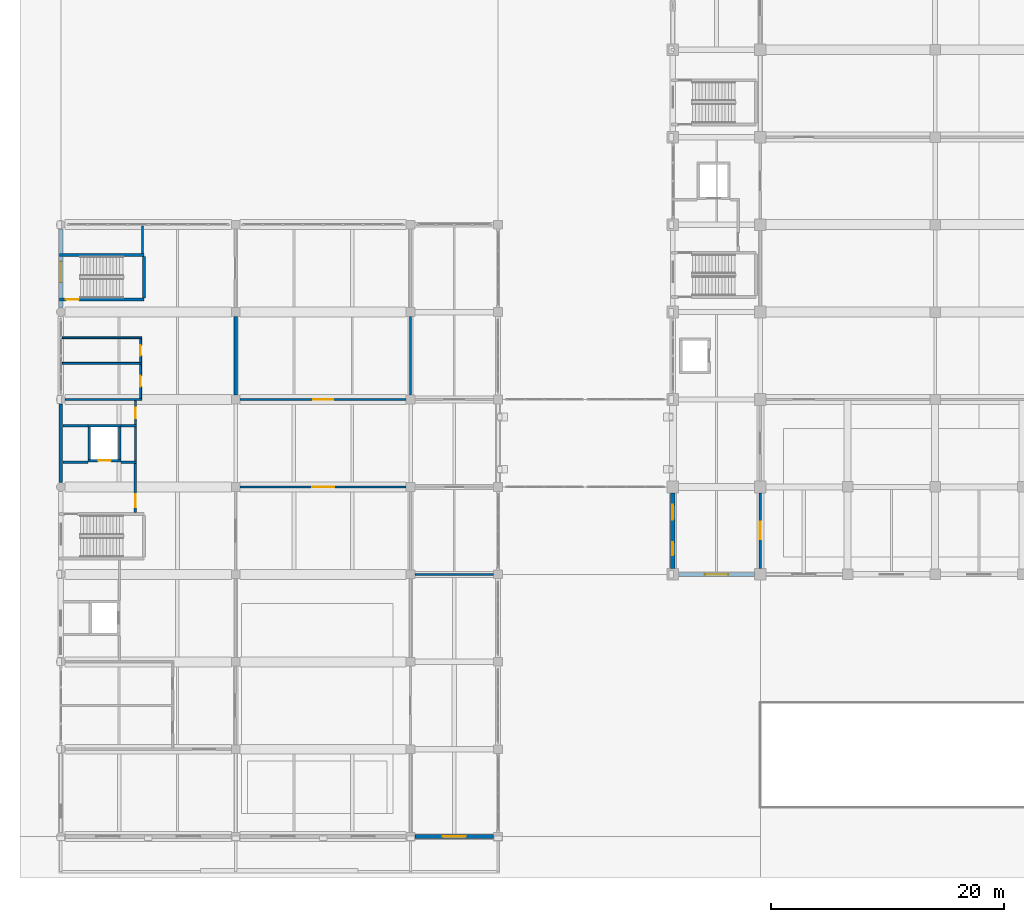
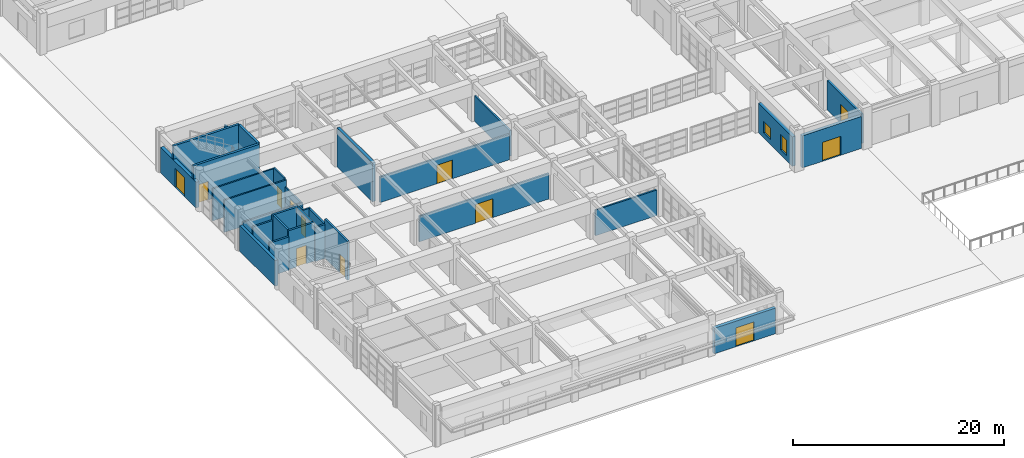
# One storey, part 86 of 122: 31 walls, 12 doors, 2 windows, 14 openings.
"""IFC4 building model written with IfcOpenShell, lengths in metres."""

from ifc_helpers import new_model, si_unit, direction, frame, frame_2d, origin, place, context, subcontext, project, spatial, rectangle, extrude, material, layer, layer_set, type_object, element, fill, save


model = new_model("IFC4")

# Units and contexts
model_context = context("Model", 3, precision=1e-05, world=origin(), true_north=direction((0.0, 1.0)))
body_context = subcontext(model_context, "Body", "Model", "MODEL_VIEW")
ifc_project = project(units=[si_unit("LENGTHUNIT", "METRE"), si_unit("AREAUNIT", "SQUARE_METRE"), si_unit("VOLUMEUNIT", "CUBIC_METRE"), si_unit("PLANEANGLEUNIT", "RADIAN"), si_unit("MASSUNIT", "GRAM", prefix="KILO")], contexts=[model_context])

# Site, building, storey
site_placement = place(None, origin())
site = spatial("IfcSite", under=ifc_project, at=site_placement, CompositionType="ELEMENT")
building_placement = place(site_placement, origin())
building = spatial("IfcBuilding", under=site, at=building_placement, Name="Qasida Concert Hall", CompositionType="ELEMENT")
storey_placement = place(building_placement, origin())
storey = spatial("IfcBuildingStorey", under=building, at=storey_placement, Name="L00", CompositionType="ELEMENT", Elevation=0.0)

# Wall, opening, door
ifc_material_1 = material(Name="Concrete C40/50", Category="concrete")
ifc_layer_1 = layer(ifc_material_1, 0.219970703125, Name="Concrete C40/50")
ifc_layer_set_1 = layer_set([ifc_layer_1], Name="Concrete C40/50")
wall_type_1 = type_object("IfcWallType", Name="WL-CW-220", PredefinedType="SOLIDWALL", material=ifc_layer_set_1)
wall_1_placement = place(storey_placement, frame((2.340087890625, 32.25, 0.0), z_axis=(0.0, 0.0, 1.0), x_axis=(1.0, 0.0, 0.0)))
wall_1 = element("IfcWall", 1, at=wall_1_placement, inside=storey, type_object=wall_type_1, Name="L00 LF-06 lift shaft wall S", PredefinedType="SOLIDWALL", context=body_context, shape_type="SweptSolid", body=[
    extrude(rectangle(XDim=2.81982421875, YDim=0.219970703125, at=frame_2d((1.409912109375, 0.0))), origin(), (0.0, 0.0, 1.0), 4.5),
])
opening_1_placement = place(wall_1_placement, frame((0.860107421875, 0.0, 0.0)))
opening_1 = element("IfcOpeningElement", 2, at=opening_1_placement, cuts=wall_1, Name="Opening LD-110", PredefinedType="OPENING", context=body_context, shape_type="SweptSolid", body=[
    extrude(rectangle(XDim=1.10009765625, YDim=2.14990234375, at=frame_2d((0.550048828125, 1.074951171875))), frame((0.0, 0.119873046875, 0.0), z_axis=(0.0, -1.0, 0.0), x_axis=(1.0, 0.0, 0.0)), (0.0, 0.0, 1.0), 0.239990234375),
])
ifc_material_2 = material(Name="Firefighting lift sliding landing door", Category="steel")
door_type_1 = type_object("IfcDoorType", Name="LD-110", OperationType="SLIDING_TO_LEFT", PredefinedType="DOOR", material=ifc_material_2)
door_1_placement = place(opening_1_placement, origin())
door_1 = element("IfcDoor", 3, at=door_1_placement, inside=storey, type_object=door_type_1, Name="Lift landing door LF-06 L00", OperationType="SLIDING_TO_LEFT", OverallHeight=2.14990234375, OverallWidth=1.10009765625, PredefinedType="DOOR", context=body_context, shape_type="SweptSolid", body=[
    extrude(rectangle(XDim=1.10009765625, YDim=2.14990234375, at=frame_2d((0.550048828125, 1.074951171875))), frame((0.0, 0.02490234375, 0.0), z_axis=(0.0, -1.0, 0.0), x_axis=(1.0, 0.0, 0.0)), (0.0, 0.0, 1.0), 0.050048828125),
])
fill(opening_1, door_1)

# Walls
wall_2_placement = place(storey_placement, frame((2.340087890625, 35.25, 0.0), z_axis=(0.0, 0.0, 1.0), x_axis=(1.0, 0.0, 0.0)))
element("IfcWall", 4, at=wall_2_placement, inside=storey, type_object=wall_type_1, Name="L00 LF-06 lift shaft wall N", PredefinedType="SOLIDWALL", context=body_context, shape_type="SweptSolid", body=[
    extrude(rectangle(XDim=2.81982421875, YDim=0.219970703125, at=frame_2d((1.409912109375, 0.0))), origin(), (0.0, 0.0, 1.0), 4.5),
])
for number, where, z_axis, x_axis, name in (
    (5, (2.449951171875, 32.360107421875, 0.0), (0.0, 0.0, 1.0), (0.0, 1.0, 0.0), "L00 LF-06 lift shaft wall W"),
    (6, (5.050048828125, 32.360107421875, 0.0), (0.0, 0.0, 1.0), (0.0, 1.0, 0.0), "L00 LF-06 lift shaft wall E"),
):
    element("IfcWall", number, at=place(storey_placement, frame(where, z_axis=z_axis, x_axis=x_axis)), inside=storey, type_object=wall_type_1, Name=name, PredefinedType="SOLIDWALL", context=body_context, shape_type="SweptSolid", body=[
        extrude(rectangle(XDim=2.77978515625, YDim=0.219970703125, at=frame_2d((1.389892578125, 0.0))), origin(), (0.0, 0.0, 1.0), 4.5),
    ])

# Wall, opening, door
wall_3_placement = place(storey_placement, frame((6.39990234375, 27.820068359375, 0.0), z_axis=(0.0, 0.0, 1.0), x_axis=(0.0, 1.0, 0.0)))
wall_3 = element("IfcWall", 7, at=wall_3_placement, inside=storey, type_object=wall_type_1, Name="L00 LF-06 firefighting lobby wall", PredefinedType="SOLIDWALL", context=body_context, shape_type="SweptSolid", body=[
    extrude(rectangle(XDim=4.309814453125, YDim=0.219970703125, at=frame_2d((2.15478515625, 0.0))), origin(), (0.0, 0.0, 1.0), 4.5),
])
opening_2_placement = place(wall_3_placement, frame((0.449951171875, 0.0, 0.0)))
opening_2 = element("IfcOpeningElement", 8, at=opening_2_placement, cuts=wall_3, Name="Opening FD-110", PredefinedType="OPENING", context=body_context, shape_type="SweptSolid", body=[
    extrude(rectangle(XDim=1.10009765625, YDim=2.14990234375, at=frame_2d((0.550048828125, 1.074951171875))), frame((0.0, 0.119873046875, 0.0), z_axis=(0.0, -1.0, 0.0), x_axis=(1.0, 0.0, 0.0)), (0.0, 0.0, 1.0), 0.239990234375),
])
ifc_material_3 = material(Name="Steel fire-rated stair/lobby door set", Category="steel")
door_type_2 = type_object("IfcDoorType", Name="FD-110", OperationType="NOTDEFINED", PredefinedType="DOOR", material=ifc_material_3)
door_2_placement = place(opening_2_placement, origin())
door_2 = element("IfcDoor", 9, at=door_2_placement, inside=storey, type_object=door_type_2, Name="L00 LF-06 firefighting lobby fire door", OperationType="SINGLE_SWING_RIGHT", OverallHeight=2.14990234375, OverallWidth=1.10009765625, PredefinedType="DOOR", context=body_context, shape_type="SweptSolid", body=[
    extrude(rectangle(XDim=1.10009765625, YDim=2.14990234375, at=frame_2d((0.550048828125, 1.074951171875))), frame((0.0, 0.02490234375, 0.0), z_axis=(0.0, -1.0, 0.0), x_axis=(1.0, 0.0, 0.0)), (0.0, 0.0, 1.0), 0.050048828125),
])
fill(opening_2, door_2)

ifc_layer_2 = layer(ifc_material_1, 0.25, Name="Concrete C40/50")
ifc_layer_set_2 = layer_set([ifc_layer_2], Name="Concrete C40/50")
wall_type_2 = type_object("IfcWallType", Name="WL-CW-250", PredefinedType="SOLIDWALL", material=ifc_layer_set_2)
wall_4_placement = place(storey_placement, frame((-0.1201171875, 46.074951171875, 0.0), z_axis=(0.0, 0.0, 1.0), x_axis=(1.0, 0.0, 0.0)))
wall_4 = element("IfcWall", 10, at=wall_4_placement, inside=storey, type_object=wall_type_2, Name="L00 ST-04 stairwell wall S", PredefinedType="SOLIDWALL", context=body_context, shape_type="SweptSolid", body=[
    extrude(rectangle(XDim=7.260009765625, YDim=0.25, at=frame_2d((3.6298828125, 0.0))), origin(), (0.0, 0.0, 1.0), 4.5),
])
opening_3_placement = place(wall_4_placement, frame((0.56005859375, 0.0, 0.0)))
opening_3 = element("IfcOpeningElement", 11, at=opening_3_placement, cuts=wall_4, Name="Opening FD-110", PredefinedType="OPENING", context=body_context, shape_type="SweptSolid", body=[
    extrude(rectangle(XDim=1.10009765625, YDim=2.14990234375, at=frame_2d((0.550048828125, 1.074951171875))), frame((0.0, 0.135009765625, 0.0), z_axis=(0.0, -1.0, 0.0), x_axis=(1.0, 0.0, 0.0)), (0.0, 0.0, 1.0), 0.27001953125),
])
door_3_placement = place(opening_3_placement, origin())
door_3 = element("IfcDoor", 12, at=door_3_placement, inside=storey, type_object=door_type_2, Name="L00 ST-04 rated stair door", OperationType="SINGLE_SWING_RIGHT", OverallHeight=2.14990234375, OverallWidth=1.10009765625, PredefinedType="DOOR", context=body_context, shape_type="SweptSolid", body=[
    extrude(rectangle(XDim=1.10009765625, YDim=2.14990234375, at=frame_2d((0.550048828125, 1.074951171875))), frame((0.0, 0.02490234375, 0.0), z_axis=(0.0, -1.0, 0.0), x_axis=(1.0, 0.0, 0.0)), (0.0, 0.0, 1.0), 0.050048828125),
])
fill(opening_3, door_3)

# Walls
wall_5_placement = place(storey_placement, frame((-0.1201171875, 49.885009765625, 0.0), z_axis=(0.0, 0.0, 1.0), x_axis=(1.0, 0.0, 0.0)))
element("IfcWall", 13, at=wall_5_placement, inside=storey, type_object=wall_type_2, Name="L00 ST-04 stairwell wall N", PredefinedType="SOLIDWALL", context=body_context, shape_type="SweptSolid", body=[
    extrude(rectangle(XDim=7.260009765625, YDim=0.25, at=frame_2d((3.6298828125, 0.0))), origin(), (0.0, 0.0, 1.0), 4.5),
])
wall_6_placement = place(storey_placement, frame((7.14501953125, 46.199951171875, 0.0), z_axis=(0.0, 0.0, 1.0), x_axis=(0.0, 1.0, 0.0)))
element("IfcWall", 14, at=wall_6_placement, inside=storey, type_object=wall_type_2, Name="L00 ST-04 stairwell wall E", PredefinedType="SOLIDWALL", context=body_context, shape_type="SweptSolid", body=[
    extrude(rectangle(XDim=3.56005859375, YDim=0.25, at=frame_2d((1.780029296875, 0.0))), origin(), (0.0, 0.0, 1.0), 4.5),
])
ifc_material_4 = material(Name="Precast concrete C40/50", Category="concrete")
ifc_layer_3 = layer(ifc_material_4, 0.320068359375, Name="Precast concrete C40/50")
ifc_layer_set_3 = layer_set([ifc_layer_3], Name="Precast concrete C40/50")
wall_type_3 = type_object("IfcWallType", Name="WL-EW-320", PredefinedType="SOLIDWALL", material=ifc_layer_set_3)
wall_7_placement = place(storey_placement, frame((0.0, 30.385009765625, 0.0), z_axis=(0.0, 0.0, 1.0), x_axis=(0.0, 1.0, 0.0)))
element("IfcWall", 15, at=wall_7_placement, inside=storey, type_object=wall_type_3, Name="L00 exterior wall EW-320 0121", PredefinedType="SOLIDWALL", context=body_context, shape_type="SweptSolid", body=[
    extrude(rectangle(XDim=6.72998046875, YDim=0.320068359375, at=frame_2d((3.364990234375, 0.0))), origin(), (0.0, 0.0, 1.0), 2.969970703125),
])

# Wall, opening, door
ifc_layer_4 = layer(ifc_material_4, 0.340087890625, Name="Precast concrete C40/50")
ifc_layer_set_4 = layer_set([ifc_layer_4], Name="Precast concrete C40/50")
wall_type_4 = type_object("IfcWallType", Name="WL-EW-340", PredefinedType="SOLIDWALL", material=ifc_layer_set_4)
wall_8_placement = place(storey_placement, frame((30.385009765625, 0.0, 0.0), z_axis=(0.0, 0.0, 1.0), x_axis=(1.0, 0.0, 0.0)))
wall_8 = element("IfcWall", 16, at=wall_8_placement, inside=storey, type_object=wall_type_4, Name="L00 exterior wall EW-340 0117", PredefinedType="SOLIDWALL", context=body_context, shape_type="SweptSolid", body=[
    extrude(rectangle(XDim=6.72998046875, YDim=0.340087890625, at=frame_2d((3.364990234375, 0.0))), origin(), (0.0, 0.0, 1.0), 2.969970703125),
])
opening_4_placement = place(wall_8_placement, frame((2.364990234375, 0.0, 0.0)))
opening_4 = element("IfcOpeningElement", 17, at=opening_4_placement, cuts=wall_8, Name="Opening ED-200", PredefinedType="OPENING", context=body_context, shape_type="SweptSolid", body=[
    extrude(rectangle(XDim=2.0, YDim=2.199951171875, at=frame_2d((1.0, 1.10009765625))), frame((0.0, 0.179931640625, 0.0), z_axis=(0.0, -1.0, 0.0), x_axis=(1.0, 0.0, 0.0)), (0.0, 0.0, 1.0), 0.360107421875),
])
ifc_material_5 = material(Name="Patinated architectural bronze and laminated safety glass", Category="glass")
door_type_3 = type_object("IfcDoorType", Name="ED-200", OperationType="NOTDEFINED", PredefinedType="DOOR", material=ifc_material_5)
door_4_placement = place(opening_4_placement, frame((2.0, 0.0, 0.0), z_axis=(0.0, 0.0, 1.0), x_axis=(-1.0, 0.0, 0.0)))
door_4 = element("IfcDoor", 18, at=door_4_placement, inside=storey, type_object=door_type_3, Name="Grand foyer south entrance exit door 5", OperationType="SINGLE_SWING_RIGHT", OverallHeight=2.199951171875, OverallWidth=2.0, PredefinedType="DOOR", context=body_context, shape_type="SweptSolid", body=[
    extrude(rectangle(XDim=2.0, YDim=2.199951171875, at=frame_2d((1.0, 1.10009765625))), frame((0.0, 0.02490234375, 0.0), z_axis=(0.0, -1.0, 0.0), x_axis=(1.0, 0.0, 0.0)), (0.0, 0.0, 1.0), 0.050048828125),
])
fill(opening_4, door_4)

wall_9_placement = place(storey_placement, frame((0.0, 45.385009765625, 0.0), z_axis=(0.0, 0.0, 1.0), x_axis=(0.0, 1.0, 0.0)))
wall_9 = element("IfcWall", 19, at=wall_9_placement, inside=storey, type_object=wall_type_4, Name="L00 exterior wall EW-340 0122", PredefinedType="SOLIDWALL", context=body_context, shape_type="SweptSolid", body=[
    extrude(rectangle(XDim=6.72998046875, YDim=0.340087890625, at=frame_2d((3.364990234375, 0.0))), origin(), (0.0, 0.0, 1.0), 2.969970703125),
])
opening_5_placement = place(wall_9_placement, frame((2.152099609375, 0.0, 0.0)))
opening_5 = element("IfcOpeningElement", 20, at=opening_5_placement, cuts=wall_9, Name="Opening ED-180", PredefinedType="OPENING", context=body_context, shape_type="SweptSolid", body=[
    extrude(rectangle(XDim=1.800048828125, YDim=2.199951171875, at=frame_2d((0.89990234375, 1.10009765625))), frame((0.0, 0.179931640625, 0.0), z_axis=(0.0, -1.0, 0.0), x_axis=(1.0, 0.0, 0.0)), (0.0, 0.0, 1.0), 0.360107421875),
])
door_type_4 = type_object("IfcDoorType", Name="ED-180", OperationType="NOTDEFINED", PredefinedType="DOOR", material=ifc_material_5)
door_5_placement = place(opening_5_placement, origin())
door_5 = element("IfcDoor", 21, at=door_5_placement, inside=storey, type_object=door_type_4, Name="Exit stair ST-04 final discharge door", OperationType="SINGLE_SWING_RIGHT", OverallHeight=2.199951171875, OverallWidth=1.800048828125, PredefinedType="DOOR", context=body_context, shape_type="SweptSolid", body=[
    extrude(rectangle(XDim=1.800048828125, YDim=2.199951171875, at=frame_2d((0.89990234375, 1.10009765625))), frame((0.0, 0.02490234375, 0.0), z_axis=(0.0, -1.0, 0.0), x_axis=(1.0, 0.0, 0.0)), (0.0, 0.0, 1.0), 0.050048828125),
])
fill(opening_5, door_5)

ifc_layer_5 = layer(ifc_material_4, 0.360107421875, Name="Precast concrete C40/50")
ifc_layer_set_5 = layer_set([ifc_layer_5], Name="Precast concrete C40/50")
wall_type_5 = type_object("IfcWallType", Name="WL-EW-360", PredefinedType="SOLIDWALL", material=ifc_layer_set_5)
wall_10_placement = place(storey_placement, frame((53.014892578125, 22.5, 0.0), z_axis=(0.0, 0.0, 1.0), x_axis=(1.0, 0.0, 0.0)))
wall_10 = element("IfcWall", 22, at=wall_10_placement, inside=storey, type_object=wall_type_5, Name="L00 exterior wall EW-360 0001", PredefinedType="SOLIDWALL", context=body_context, shape_type="SweptSolid", body=[
    extrude(rectangle(XDim=6.47021484375, YDim=0.360107421875, at=frame_2d((3.235107421875, 0.0))), origin(), (0.0, 0.0, 1.0), 3.719970703125),
])
opening_6_placement = place(wall_10_placement, frame((2.235107421875, 0.0, 0.0)))
opening_6 = element("IfcOpeningElement", 23, at=opening_6_placement, cuts=wall_10, Name="Opening ED-200", PredefinedType="OPENING", context=body_context, shape_type="SweptSolid", body=[
    extrude(rectangle(XDim=2.0, YDim=2.199951171875, at=frame_2d((1.0, 1.10009765625))), frame((0.0, 0.18994140625, 0.0), z_axis=(0.0, -1.0, 0.0), x_axis=(1.0, 0.0, 0.0)), (0.0, 0.0, 1.0), 0.380126953125),
])
door_6_placement = place(opening_6_placement, frame((2.0, 0.0, 0.0), z_axis=(0.0, 0.0, 1.0), x_axis=(-1.0, 0.0, 0.0)))
door_6 = element("IfcDoor", 24, at=door_6_placement, inside=storey, type_object=door_type_3, Name="Symphony south plaza exit door 1", OperationType="SINGLE_SWING_LEFT", OverallHeight=2.199951171875, OverallWidth=2.0, PredefinedType="DOOR", context=body_context, shape_type="SweptSolid", body=[
    extrude(rectangle(XDim=2.0, YDim=2.199951171875, at=frame_2d((1.0, 1.10009765625))), frame((0.0, 0.02490234375, 0.0), z_axis=(0.0, -1.0, 0.0), x_axis=(1.0, 0.0, 0.0)), (0.0, 0.0, 1.0), 0.050048828125),
])
fill(opening_6, door_6)

# Wall, openings, windows
wall_11_placement = place(storey_placement, frame((52.5, 23.014892578125, 0.0), z_axis=(0.0, 0.0, 1.0), x_axis=(0.0, 1.0, 0.0)))
wall_11 = element("IfcWall", 25, at=wall_11_placement, inside=storey, type_object=wall_type_5, Name="L00 exterior wall EW-360 0016", PredefinedType="SOLIDWALL", context=body_context, shape_type="SweptSolid", body=[
    extrude(rectangle(XDim=6.47021484375, YDim=0.360107421875, at=frame_2d((3.235107421875, 0.0))), origin(), (0.0, 0.0, 1.0), 3.419921875),
])
opening_7_placement = place(wall_11_placement, frame((1.1201171875, 0.0, 0.60009765625)))
opening_7 = element("IfcOpeningElement", 26, at=opening_7_placement, cuts=wall_11, Name="Opening WN-01", PredefinedType="OPENING", context=body_context, shape_type="SweptSolid", body=[
    extrude(rectangle(XDim=1.10009765625, YDim=1.800048828125, at=frame_2d((0.550048828125, 0.89990234375))), frame((0.0, 0.18994140625, 0.0), z_axis=(0.0, -1.0, 0.0), x_axis=(1.0, 0.0, 0.0)), (0.0, 0.0, 1.0), 0.380126953125),
])
opening_8_placement = place(wall_11_placement, frame((4.14990234375, 0.0, 0.60009765625)))
opening_8 = element("IfcOpeningElement", 27, at=opening_8_placement, cuts=wall_11, Name="Opening WN-10", PredefinedType="OPENING", context=body_context, shape_type="SweptSolid", body=[
    extrude(rectangle(XDim=1.300048828125, YDim=1.300048828125, at=frame_2d((0.64990234375, 0.64990234375))), frame((0.0, 0.18994140625, 0.0), z_axis=(0.0, -1.0, 0.0), x_axis=(1.0, 0.0, 0.0)), (0.0, 0.0, 1.0), 0.380126953125),
])
ifc_material_6 = material(Name="Bronze-anodized aluminium frame with acoustic low-E glazing", Category="aluminium")
window_type_1 = type_object("IfcWindowType", Name="WN-01", PartitioningType="SINGLE_PANEL", PredefinedType="WINDOW", material=ifc_material_6)
window_1_placement = place(opening_7_placement, origin())
window_1 = element("IfcWindow", 28, at=window_1_placement, inside=storey, type_object=window_type_1, Name="L00 window WN-01 0001", OverallHeight=1.800048828125, OverallWidth=1.10009765625, PartitioningType="SINGLE_PANEL", PredefinedType="WINDOW", context=body_context, shape_type="SweptSolid", body=[
    extrude(rectangle(XDim=1.10009765625, YDim=1.800048828125, at=frame_2d((0.550048828125, 0.89990234375))), frame((0.0, 0.030029296875, 0.0), z_axis=(0.0, -1.0, 0.0), x_axis=(1.0, 0.0, 0.0)), (0.0, 0.0, 1.0), 0.06005859375),
])
fill(opening_7, window_1)
window_type_2 = type_object("IfcWindowType", Name="WN-10", PartitioningType="SINGLE_PANEL", PredefinedType="WINDOW", material=ifc_material_6)
window_2_placement = place(opening_8_placement, origin())
window_2 = element("IfcWindow", 29, at=window_2_placement, inside=storey, type_object=window_type_2, Name="L00 window WN-10 0002", OverallHeight=1.300048828125, OverallWidth=1.300048828125, PartitioningType="SINGLE_PANEL", PredefinedType="WINDOW", context=body_context, shape_type="SweptSolid", body=[
    extrude(rectangle(XDim=1.300048828125, YDim=1.300048828125, at=frame_2d((0.64990234375, 0.64990234375))), frame((0.0, 0.030029296875, 0.0), z_axis=(0.0, -1.0, 0.0), x_axis=(1.0, 0.0, 0.0)), (0.0, 0.0, 1.0), 0.06005859375),
])
fill(opening_8, window_2)

# Walls
ifc_material_7 = material(Name="Moisture-resistant gypsum partition", Category="gypsum")
ifc_layer_6 = layer(ifc_material_7, 0.159912109375, Name="Moisture-resistant gypsum partition")
ifc_layer_set_6 = layer_set([ifc_layer_6], Name="Moisture-resistant gypsum partition")
wall_type_6 = type_object("IfcWallType", Name="WL-PW-160", PredefinedType="PARTITIONING", material=ifc_layer_set_6)
wall_12_placement = place(storey_placement, frame((0.388916015625, 37.5, 0.0), z_axis=(0.0, 0.0, 1.0), x_axis=(1.0, 0.0, 0.0)))
element("IfcWall", 30, at=wall_12_placement, inside=storey, type_object=wall_type_6, Name="L00 partition PW-160 0116", PredefinedType="PARTITIONING", context=body_context, shape_type="SweptSolid", body=[
    extrude(rectangle(XDim=6.56103515625, YDim=0.159912109375, at=frame_2d((3.280517578125, 0.0))), origin(), (0.0, 0.0, 1.0), 2.969970703125),
])
for number, where, z_axis, x_axis, name in (
    (31, (0.132080078125, 40.60009765625, 0.0), (0.0, 0.0, 1.0), (1.0, 0.0, 0.0), "L00 partition PW-160 0120"),
    (32, (0.132080078125, 42.800048828125, 0.0), (0.0, 0.0, 1.0), (1.0, 0.0, 0.0), "L00 partition PW-160 0121"),
):
    element("IfcWall", number, at=place(storey_placement, frame(where, z_axis=z_axis, x_axis=x_axis)), inside=storey, type_object=wall_type_6, Name=name, PredefinedType="PARTITIONING", context=body_context, shape_type="SweptSolid", body=[
        extrude(rectangle(XDim=6.81787109375, YDim=0.159912109375, at=frame_2d((3.408935546875, 0.0))), origin(), (0.0, 0.0, 1.0), 3.719970703125),
    ])

# Wall, opening, door
wall_13_placement = place(storey_placement, frame((6.85009765625, 37.593994140625, 0.0), z_axis=(0.0, 0.0, 1.0), x_axis=(0.0, 1.0, 0.0)))
wall_13 = element("IfcWall", 33, at=wall_13_placement, inside=storey, type_object=wall_type_6, Name="L00 partition PW-160 0122", PredefinedType="PARTITIONING", context=body_context, shape_type="SweptSolid", body=[
    extrude(rectangle(XDim=2.912109375, YDim=0.159912109375, at=frame_2d((1.4560546875, 0.0))), origin(), (0.0, 0.0, 1.0), 2.969970703125),
])
opening_9_placement = place(wall_13_placement, frame((0.98095703125, 0.0, 0.0)))
opening_9 = element("IfcOpeningElement", 34, at=opening_9_placement, cuts=wall_13, Name="Opening ID-095", PredefinedType="OPENING", context=body_context, shape_type="SweptSolid", body=[
    extrude(rectangle(XDim=0.949951171875, YDim=2.10009765625, at=frame_2d((0.47509765625, 1.050048828125))), frame((0.0, 0.08984375, 0.0), z_axis=(0.0, -1.0, 0.0), x_axis=(1.0, 0.0, 0.0)), (0.0, 0.0, 1.0), 0.179931640625),
])
ifc_material_8 = material(Name="Quarter-sawn oak accessible WC door", Category="wood")
door_type_5 = type_object("IfcDoorType", Name="ID-095", OperationType="NOTDEFINED", PredefinedType="DOOR", material=ifc_material_8)
door_7_placement = place(opening_9_placement, origin())
door_7 = element("IfcDoor", 35, at=door_7_placement, inside=storey, type_object=door_type_5, Name="L00 Accessible WC door", OperationType="SINGLE_SWING_RIGHT", OverallHeight=2.10009765625, OverallWidth=0.949951171875, PredefinedType="DOOR", context=body_context, shape_type="SweptSolid", body=[
    extrude(rectangle(XDim=0.949951171875, YDim=2.10009765625, at=frame_2d((0.47509765625, 1.050048828125))), frame((0.0, 0.02490234375, 0.0), z_axis=(0.0, -1.0, 0.0), x_axis=(1.0, 0.0, 0.0)), (0.0, 0.0, 1.0), 0.050048828125),
])
fill(opening_9, door_7)

wall_14_placement = place(storey_placement, frame((6.85009765625, 40.694091796875, 0.0), z_axis=(0.0, 0.0, 1.0), x_axis=(0.0, 1.0, 0.0)))
wall_14 = element("IfcWall", 36, at=wall_14_placement, inside=storey, type_object=wall_type_6, Name="L00 partition PW-160 0123", PredefinedType="PARTITIONING", context=body_context, shape_type="SweptSolid", body=[
    extrude(rectangle(XDim=2.011962890625, YDim=0.159912109375, at=frame_2d((1.005859375, 0.0))), origin(), (0.0, 0.0, 1.0), 3.8701171875),
])
opening_10_placement = place(wall_14_placement, frame((0.555908203125, 0.0, 0.0)))
opening_10 = element("IfcOpeningElement", 37, at=opening_10_placement, cuts=wall_14, Name="Opening ID-090", PredefinedType="OPENING", context=body_context, shape_type="SweptSolid", body=[
    extrude(rectangle(XDim=0.89990234375, YDim=2.10009765625, at=frame_2d((0.449951171875, 1.050048828125))), frame((0.0, 0.08984375, 0.0), z_axis=(0.0, -1.0, 0.0), x_axis=(1.0, 0.0, 0.0)), (0.0, 0.0, 1.0), 0.179931640625),
])
ifc_material_9 = material(Name="Quarter-sawn oak flush room door", Category="wood")
door_type_6 = type_object("IfcDoorType", Name="ID-090", OperationType="NOTDEFINED", PredefinedType="DOOR", material=ifc_material_9)
door_8_placement = place(opening_10_placement, origin())
door_8 = element("IfcDoor", 38, at=door_8_placement, inside=storey, type_object=door_type_6, Name="L00 Family care suite door", OperationType="SINGLE_SWING_LEFT", OverallHeight=2.10009765625, OverallWidth=0.89990234375, PredefinedType="DOOR", context=body_context, shape_type="SweptSolid", body=[
    extrude(rectangle(XDim=0.89990234375, YDim=2.10009765625, at=frame_2d((0.449951171875, 1.050048828125))), frame((0.0, 0.02490234375, 0.0), z_axis=(0.0, -1.0, 0.0), x_axis=(1.0, 0.0, 0.0)), (0.0, 0.0, 1.0), 0.050048828125),
])
fill(opening_10, door_8)

# Walls
ifc_material_10 = material(Name="Acoustic metal-stud gypsum partition", Category="gypsum")
ifc_layer_7 = layer(ifc_material_10, 0.179931640625, Name="Acoustic metal-stud gypsum partition")
ifc_layer_set_7 = layer_set([ifc_layer_7], Name="Acoustic metal-stud gypsum partition")
wall_type_7 = type_object("IfcWallType", Name="WL-PW-180", PredefinedType="PARTITIONING", material=ifc_layer_set_7)
wall_15_placement = place(storey_placement, frame((0.174072265625, 35.25, 0.0), z_axis=(0.0, 0.0, 1.0), x_axis=(1.0, 0.0, 0.0)))
element("IfcWall", 39, at=wall_15_placement, inside=storey, type_object=wall_type_7, Name="L00 partition PW-180 0114", PredefinedType="PARTITIONING", context=body_context, shape_type="SweptSolid", body=[
    extrude(rectangle(XDim=2.166015625, YDim=0.179931640625, at=frame_2d((1.0830078125, 0.0))), origin(), (0.0, 0.0, 1.0), 3.8701171875),
])
wall_16_placement = place(storey_placement, frame((5.159912109375, 35.25, 0.0), z_axis=(0.0, 0.0, 1.0), x_axis=(1.0, 0.0, 0.0)))
element("IfcWall", 40, at=wall_16_placement, inside=storey, type_object=wall_type_7, Name="L00 partition PW-180 0115", PredefinedType="PARTITIONING", context=body_context, shape_type="SweptSolid", body=[
    extrude(rectangle(XDim=1.340087890625, YDim=0.179931640625, at=frame_2d((0.669921875, 0.0))), origin(), (0.0, 0.0, 1.0), 3.8701171875),
])
wall_17_placement = place(storey_placement, frame((6.39990234375, 32.243896484375, 0.0), z_axis=(0.0, 0.0, 1.0), x_axis=(0.0, 1.0, 0.0)))
element("IfcWall", 41, at=wall_17_placement, inside=storey, type_object=wall_type_7, Name="L00 partition PW-180 0117", PredefinedType="PARTITIONING", context=body_context, shape_type="SweptSolid", body=[
    extrude(rectangle(XDim=2.902099609375, YDim=0.179931640625, at=frame_2d((1.451171875, 0.0))), origin(), (0.0, 0.0, 1.0), 3.8701171875),
])

# Wall, opening, door
wall_18_placement = place(storey_placement, frame((6.39990234375, 35.35400390625, 0.0), z_axis=(0.0, 0.0, 1.0), x_axis=(0.0, 1.0, 0.0)))
wall_18 = element("IfcWall", 42, at=wall_18_placement, inside=storey, type_object=wall_type_7, Name="L00 partition PW-180 0118", PredefinedType="PARTITIONING", context=body_context, shape_type="SweptSolid", body=[
    extrude(rectangle(XDim=2.052001953125, YDim=0.179931640625, at=frame_2d((1.02587890625, 0.0))), origin(), (0.0, 0.0, 1.0), 2.969970703125),
])
opening_11_placement = place(wall_18_placement, frame((0.5458984375, 0.0, 0.0)))
opening_11 = element("IfcOpeningElement", 43, at=opening_11_placement, cuts=wall_18, Name="Opening ID-090", PredefinedType="OPENING", context=body_context, shape_type="SweptSolid", body=[
    extrude(rectangle(XDim=0.89990234375, YDim=2.10009765625, at=frame_2d((0.449951171875, 1.050048828125))), frame((0.0, 0.099853515625, 0.0), z_axis=(0.0, -1.0, 0.0), x_axis=(1.0, 0.0, 0.0)), (0.0, 0.0, 1.0), 0.199951171875),
])
door_9_placement = place(opening_11_placement, origin())
door_9 = element("IfcDoor", 44, at=door_9_placement, inside=storey, type_object=door_type_6, Name="L00 Custodial service room door", OperationType="SINGLE_SWING_LEFT", OverallHeight=2.10009765625, OverallWidth=0.89990234375, PredefinedType="DOOR", context=body_context, shape_type="SweptSolid", body=[
    extrude(rectangle(XDim=0.89990234375, YDim=2.10009765625, at=frame_2d((0.449951171875, 1.050048828125))), frame((0.0, 0.02490234375, 0.0), z_axis=(0.0, -1.0, 0.0), x_axis=(1.0, 0.0, 0.0)), (0.0, 0.0, 1.0), 0.050048828125),
])
fill(opening_11, door_9)

# Wall
wall_19_placement = place(storey_placement, frame((7.02001953125, 50.02392578125, 0.0), z_axis=(0.0, 0.0, 1.0), x_axis=(0.0, 1.0, 0.0)))
element("IfcWall", 45, at=wall_19_placement, inside=storey, type_object=wall_type_7, Name="L00 partition PW-180 0119", PredefinedType="PARTITIONING", context=body_context, shape_type="SweptSolid", body=[
    extrude(rectangle(XDim=2.343994140625, YDim=0.179931640625, at=frame_2d((1.171875, 0.0))), origin(), (0.0, 0.0, 1.0), 2.969970703125),
])

# Wall, opening, door
wall_20_placement = place(storey_placement, frame((15.388916015625, 30.0, 0.0), z_axis=(0.0, 0.0, 1.0), x_axis=(1.0, 0.0, 0.0)))
wall_20 = element("IfcWall", 46, at=wall_20_placement, inside=storey, type_object=wall_type_7, Name="L00 partition PW-180 0173", PredefinedType="PARTITIONING", context=body_context, shape_type="SweptSolid", body=[
    extrude(rectangle(XDim=14.22216796875, YDim=0.179931640625, at=frame_2d((7.111083984375, 0.0))), origin(), (0.0, 0.0, 1.0), 2.969970703125),
])
opening_12_placement = place(wall_20_placement, frame((6.160888671875, 0.0, 0.0)))
opening_12 = element("IfcOpeningElement", 47, at=opening_12_placement, cuts=wall_20, Name="Opening ID-190", PredefinedType="OPENING", context=body_context, shape_type="SweptSolid", body=[
    extrude(rectangle(XDim=1.89990234375, YDim=2.179931640625, at=frame_2d((0.949951171875, 1.08984375))), frame((0.0, 0.099853515625, 0.0), z_axis=(0.0, -1.0, 0.0), x_axis=(1.0, 0.0, 0.0)), (0.0, 0.0, 1.0), 0.199951171875),
])
ifc_material_11 = material(Name="Bronze-framed glazed promenade door", Category="aluminium")
door_type_7 = type_object("IfcDoorType", Name="ID-190", OperationType="NOTDEFINED", PredefinedType="DOOR", material=ifc_material_11)
door_10_placement = place(opening_12_placement, origin())
door_10 = element("IfcDoor", 48, at=door_10_placement, inside=storey, type_object=door_type_7, Name="L00 Foyer bridge concourse portal", OperationType="SINGLE_SWING_RIGHT", OverallHeight=2.179931640625, OverallWidth=1.89990234375, PredefinedType="DOOR", context=body_context, shape_type="SweptSolid", body=[
    extrude(rectangle(XDim=1.89990234375, YDim=2.179931640625, at=frame_2d((0.949951171875, 1.08984375))), frame((0.0, 0.02490234375, 0.0), z_axis=(0.0, -1.0, 0.0), x_axis=(1.0, 0.0, 0.0)), (0.0, 0.0, 1.0), 0.050048828125),
])
fill(opening_12, door_10)

wall_21_placement = place(storey_placement, frame((15.388916015625, 37.5, 0.0), z_axis=(0.0, 0.0, 1.0), x_axis=(1.0, 0.0, 0.0)))
wall_21 = element("IfcWall", 49, at=wall_21_placement, inside=storey, type_object=wall_type_7, Name="L00 partition PW-180 0175", PredefinedType="PARTITIONING", context=body_context, shape_type="SweptSolid", body=[
    extrude(rectangle(XDim=14.22216796875, YDim=0.179931640625, at=frame_2d((7.111083984375, 0.0))), origin(), (0.0, 0.0, 1.0), 2.969970703125),
])
opening_13_placement = place(wall_21_placement, frame((6.260986328125, 0.0, 0.0)))
opening_13 = element("IfcOpeningElement", 50, at=opening_13_placement, cuts=wall_21, Name="Opening ID-170", PredefinedType="OPENING", context=body_context, shape_type="SweptSolid", body=[
    extrude(rectangle(XDim=1.699951171875, YDim=2.159912109375, at=frame_2d((0.85009765625, 1.080078125))), frame((0.0, 0.099853515625, 0.0), z_axis=(0.0, -1.0, 0.0), x_axis=(1.0, 0.0, 0.0)), (0.0, 0.0, 1.0), 0.199951171875),
])
ifc_material_12 = material(Name="Bronze-framed glazed exhibition door", Category="aluminium")
door_type_8 = type_object("IfcDoorType", Name="ID-170", OperationType="NOTDEFINED", PredefinedType="DOOR", material=ifc_material_12)
door_11_placement = place(opening_13_placement, origin())
door_11 = element("IfcDoor", 51, at=door_11_placement, inside=storey, type_object=door_type_8, Name="L00 Public cafe south door", OperationType="SINGLE_SWING_RIGHT", OverallHeight=2.159912109375, OverallWidth=1.699951171875, PredefinedType="DOOR", context=body_context, shape_type="SweptSolid", body=[
    extrude(rectangle(XDim=1.699951171875, YDim=2.159912109375, at=frame_2d((0.85009765625, 1.080078125))), frame((0.0, 0.02490234375, 0.0), z_axis=(0.0, -1.0, 0.0), x_axis=(1.0, 0.0, 0.0)), (0.0, 0.0, 1.0), 0.050048828125),
])
fill(opening_13, door_11)

# Walls
for number, where, z_axis, x_axis, name in (
    (52, (30.388916015625, 22.5, 0.0), (0.0, 0.0, 1.0), (1.0, 0.0, 0.0), "L00 partition PW-180 0177"),
    (53, (30.0, 37.888916015625, 0.0), (0.0, 0.0, 1.0), (0.0, 1.0, 0.0), "L00 partition PW-180 0182"),
):
    element("IfcWall", number, at=place(storey_placement, frame(where, z_axis=z_axis, x_axis=x_axis)), inside=storey, type_object=wall_type_7, Name=name, PredefinedType="PARTITIONING", context=body_context, shape_type="SweptSolid", body=[
        extrude(rectangle(XDim=6.72216796875, YDim=0.179931640625, at=frame_2d((3.361083984375, 0.0))), origin(), (0.0, 0.0, 1.0), 2.969970703125),
    ])
ifc_material_13 = material(Name="Acoustic gypsum block and mineral wool", Category="gypsum")
ifc_layer_8 = layer(ifc_material_13, 0.199951171875, Name="Acoustic gypsum block and mineral wool")
ifc_layer_set_8 = layer_set([ifc_layer_8], Name="Acoustic gypsum block and mineral wool")
wall_type_8 = type_object("IfcWallType", Name="WL-PW-200", PredefinedType="PARTITIONING", material=ifc_layer_set_8)
wall_22_placement = place(storey_placement, frame((0.179931640625, 32.1298828125, 0.0), z_axis=(0.0, 0.0, 1.0), x_axis=(1.0, 0.0, 0.0)))
element("IfcWall", 54, at=wall_22_placement, inside=storey, type_object=wall_type_8, Name="L00 LF-06 firefighting lobby return wall", PredefinedType="PARTITIONING", context=body_context, shape_type="SweptSolid", body=[
    extrude(rectangle(XDim=2.14501953125, YDim=0.199951171875, at=frame_2d((1.072509765625, 0.0))), origin(), (0.0, 0.0, 1.0), 3.8798828125),
])
wall_23_placement = place(storey_placement, frame((5.175048828125, 32.1298828125, 0.0), z_axis=(0.0, 0.0, 1.0), x_axis=(1.0, 0.0, 0.0)))
element("IfcWall", 55, at=wall_23_placement, inside=storey, type_object=wall_type_8, Name="L00 LF-06 firefighting lobby return wall", PredefinedType="PARTITIONING", context=body_context, shape_type="SweptSolid", body=[
    extrude(rectangle(XDim=1.3349609375, YDim=0.199951171875, at=frame_2d((0.66748046875, 0.0))), origin(), (0.0, 0.0, 1.0), 3.929931640625),
])

# Wall, opening, door
ifc_material_14 = material(Name="Double-stud acoustic gypsum and mineral wool", Category="gypsum")
ifc_layer_9 = layer(ifc_material_14, 0.239990234375, Name="Double-stud acoustic gypsum and mineral wool")
ifc_layer_set_9 = layer_set([ifc_layer_9], Name="Double-stud acoustic gypsum and mineral wool")
wall_type_9 = type_object("IfcWallType", Name="WL-PW-240", PredefinedType="PARTITIONING", material=ifc_layer_set_9)
wall_24_placement = place(storey_placement, frame((60.0, 23.013916015625, 0.0), z_axis=(0.0, 0.0, 1.0), x_axis=(0.0, 1.0, 0.0)))
wall_24 = element("IfcWall", 56, at=wall_24_placement, inside=storey, type_object=wall_type_9, Name="L00 partition PW-240 0417", PredefinedType="PARTITIONING", context=body_context, shape_type="SweptSolid", body=[
    extrude(rectangle(XDim=6.47216796875, YDim=0.239990234375, at=frame_2d((3.236083984375, 0.0))), origin(), (0.0, 0.0, 1.0), 3.419921875),
])
opening_14_placement = place(wall_24_placement, frame((2.486083984375, 0.0, 0.0)))
opening_14 = element("IfcOpeningElement", 57, at=opening_14_placement, cuts=wall_24, Name="Opening ID-150", PredefinedType="OPENING", context=body_context, shape_type="SweptSolid", body=[
    extrude(rectangle(XDim=1.5, YDim=2.159912109375, at=frame_2d((0.75, 1.080078125))), frame((0.0, 0.1298828125, 0.0), z_axis=(0.0, -1.0, 0.0), x_axis=(1.0, 0.0, 0.0)), (0.0, 0.0, 1.0), 0.260009765625),
])
ifc_material_15 = material(Name="Bronze-framed glazed foyer door", Category="aluminium")
door_type_9 = type_object("IfcDoorType", Name="ID-150", OperationType="NOTDEFINED", PredefinedType="DOOR", material=ifc_material_15)
door_12_placement = place(opening_14_placement, origin())
door_12 = element("IfcDoor", 58, at=door_12_placement, inside=storey, type_object=door_type_9, Name="L00 Symphony west foyer promenade door", OperationType="SINGLE_SWING_RIGHT", OverallHeight=2.159912109375, OverallWidth=1.5, PredefinedType="DOOR", context=body_context, shape_type="SweptSolid", body=[
    extrude(rectangle(XDim=1.5, YDim=2.159912109375, at=frame_2d((0.75, 1.080078125))), frame((0.0, 0.02490234375, 0.0), z_axis=(0.0, -1.0, 0.0), x_axis=(1.0, 0.0, 0.0)), (0.0, 0.0, 1.0), 0.050048828125),
])
fill(opening_14, door_12)

# Wall
ifc_layer_10 = layer(ifc_material_1, 0.320068359375, Name="Concrete C40/50")
ifc_layer_set_10 = layer_set([ifc_layer_10], Name="Concrete C40/50")
wall_type_10 = type_object("IfcWallType", Name="WL-SW-320", PredefinedType="SHEAR", material=ifc_layer_set_10)
wall_25_placement = place(storey_placement, frame((15.0, 37.875, 0.0), z_axis=(0.0, 0.0, 1.0), x_axis=(0.0, 1.0, 0.0)))
element("IfcWall", 59, at=wall_25_placement, inside=storey, type_object=wall_type_10, Name="L00 V3 foyer shear wall 0012", PredefinedType="SHEAR", context=body_context, shape_type="SweptSolid", body=[
    extrude(rectangle(XDim=6.75, YDim=0.320068359375, at=frame_2d((3.375, 0.0))), origin(), (0.0, 0.0, 1.0), 4.5),
])

save(model, "model.ifc")
